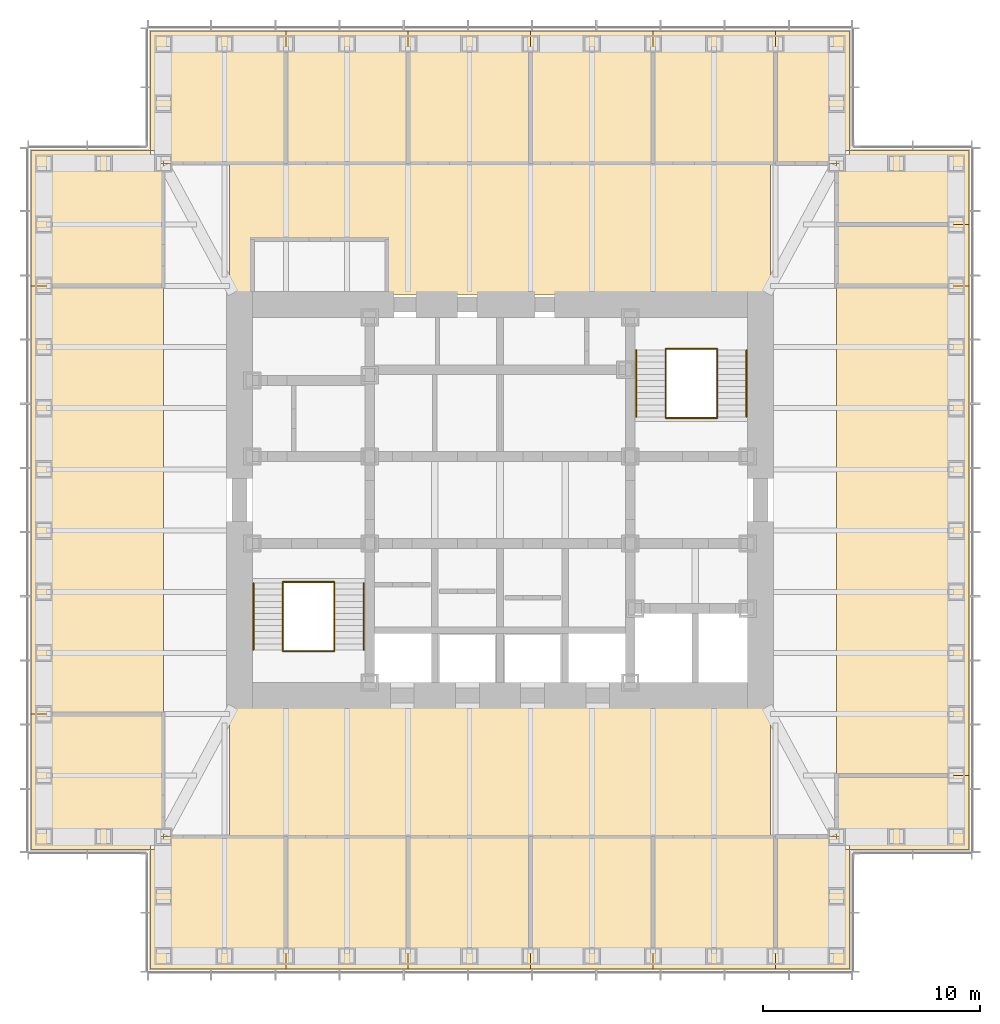
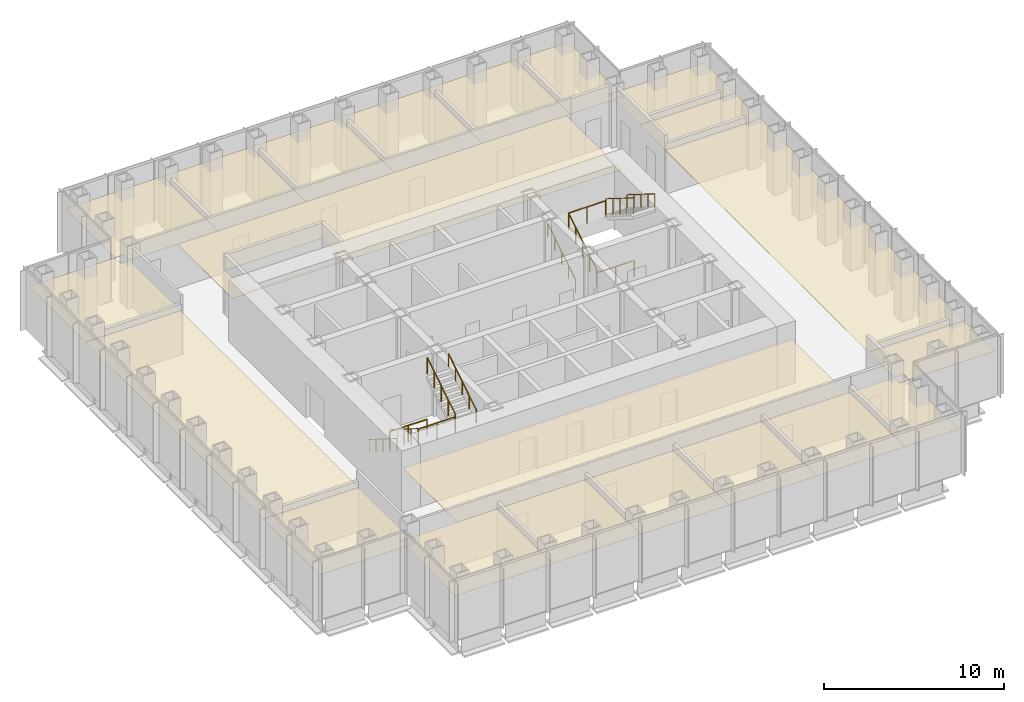
# One storey, part 16 of 16: 21 coverings, 12 railings.
"""IFC4 building model written with IfcOpenShell, lengths in metres."""

from ifc_helpers import new_model, si_unit, direction, frame, origin, origin_2d, place, context, subcontext, project, spatial, polyline, circle, outline, extrude, material, layer, layer_set, type_object, element, save


model = new_model("IFC4")

# Units and contexts
model_context = context("Model", 3, precision=1e-05, world=origin(), true_north=direction((0.0, 1.0)))
body_context = subcontext(model_context, "Body", "Model", "MODEL_VIEW")
ifc_project = project(units=[si_unit("LENGTHUNIT", "METRE"), si_unit("AREAUNIT", "SQUARE_METRE"), si_unit("VOLUMEUNIT", "CUBIC_METRE"), si_unit("PLANEANGLEUNIT", "RADIAN"), si_unit("MASSUNIT", "GRAM", prefix="KILO")], contexts=[model_context])

# Site, building, storey
site_placement = place(None, origin())
site = spatial("IfcSite", under=ifc_project, at=site_placement, CompositionType="ELEMENT")
building_placement = place(site_placement, origin())
building = spatial("IfcBuilding", under=site, at=building_placement, Name="Daluyong Arena Tower", CompositionType="ELEMENT")
storey_placement = place(building_placement, frame((0.0, 0.0, 227.5)))
storey = spatial("IfcBuildingStorey", under=building, at=storey_placement, Name="L51", CompositionType="ELEMENT", Elevation=227.5)

# Coverings
ifc_material_1 = material(Name="Mineral fibre ceiling tile", Category="gypsum board")
ifc_layer = layer(ifc_material_1, 0.02001953125)
ifc_layer_set = layer_set([ifc_layer], Name="Mineral fibre ceiling tile")
covering_type = type_object("IfcCoveringType", Name="Office ceiling", PredefinedType="CEILING", material=ifc_layer_set)
covering_1_placement = place(storey_placement, frame((0.0, 0.0, 2.89990234375)))
element("IfcCovering", 1, at=covering_1_placement, inside=storey, type_object=covering_type, Name="ceiling L51-01", PredefinedType="CEILING", context=body_context, shape_type="SweptSolid", body=[
    extrude(outline(polyline([(39.89990234375, 63.89990234375), (39.89990234375, 58.39990234375), (46.136474609375, 58.39990234375), (46.136474609375, 64.5), (40.5, 64.5), (40.5, 63.89990234375), (39.89990234375, 63.89990234375)])), origin(), (0.0, 0.0, 1.0), 0.02001953125),
])
covering_2_placement = place(storey_placement, frame((0.0, 0.0, 2.89990234375)))
element("IfcCovering", 2, at=covering_2_placement, inside=storey, type_object=covering_type, Name="ceiling L51-02", PredefinedType="CEILING", context=body_context, shape_type="SweptSolid", body=[
    extrude(outline(polyline([(46.136474609375, 64.5), (46.136474609375, 58.39990234375), (51.772705078125, 58.39990234375), (51.772705078125, 64.5), (46.136474609375, 64.5)])), origin(), (0.0, 0.0, 1.0), 0.02001953125),
])
covering_3_placement = place(storey_placement, frame((0.0, 0.0, 2.89990234375)))
element("IfcCovering", 3, at=covering_3_placement, inside=storey, type_object=covering_type, Name="ceiling L51-03", PredefinedType="CEILING", context=body_context, shape_type="SweptSolid", body=[
    extrude(outline(polyline([(51.772705078125, 64.5), (51.772705078125, 58.39990234375), (57.4091796875, 58.39990234375), (57.4091796875, 64.5), (51.772705078125, 64.5)])), origin(), (0.0, 0.0, 1.0), 0.02001953125),
])
covering_4_placement = place(storey_placement, frame((0.0, 0.0, 2.89990234375)))
element("IfcCovering", 4, at=covering_4_placement, inside=storey, type_object=covering_type, Name="ceiling L51-04", PredefinedType="CEILING", context=body_context, shape_type="SweptSolid", body=[
    extrude(outline(polyline([(57.4091796875, 64.5), (57.4091796875, 58.39990234375), (63.04541015625, 58.39990234375), (63.04541015625, 64.5), (57.4091796875, 64.5)])), origin(), (0.0, 0.0, 1.0), 0.02001953125),
])
covering_5_placement = place(storey_placement, frame((0.0, 0.0, 2.89990234375)))
element("IfcCovering", 5, at=covering_5_placement, inside=storey, type_object=covering_type, Name="ceiling L51-05", PredefinedType="CEILING", context=body_context, shape_type="SweptSolid", body=[
    extrude(outline(polyline([(63.04541015625, 64.5), (63.04541015625, 58.39990234375), (68.681884765625, 58.39990234375), (68.681884765625, 64.5), (63.04541015625, 64.5)])), origin(), (0.0, 0.0, 1.0), 0.02001953125),
])
covering_6_placement = place(storey_placement, frame((0.0, 0.0, 2.89990234375)))
element("IfcCovering", 6, at=covering_6_placement, inside=storey, type_object=covering_type, Name="ceiling L51-06", PredefinedType="CEILING", context=body_context, shape_type="SweptSolid", body=[
    extrude(outline(polyline([(72.10009765625, 58.39990234375), (72.10009765625, 63.89990234375), (71.5, 63.89990234375), (71.5, 64.5), (68.681884765625, 64.5), (68.681884765625, 58.39990234375), (72.10009765625, 58.39990234375)])), origin(), (0.0, 0.0, 1.0), 0.02001953125),
])
covering_7_placement = place(storey_placement, frame((0.0, 0.0, 2.89990234375)))
element("IfcCovering", 7, at=covering_7_placement, inside=storey, type_object=covering_type, Name="ceiling L51-07", PredefinedType="CEILING", context=body_context, shape_type="SweptSolid", body=[
    extrude(outline(polyline([(72.10009765625, 63.89990234375), (77.60009765625, 63.89990234375), (77.60009765625, 67.318115234375), (71.5, 67.318115234375), (71.5, 64.5), (72.10009765625, 64.5), (72.10009765625, 63.89990234375)])), origin(), (0.0, 0.0, 1.0), 0.02001953125),
])
covering_8_placement = place(storey_placement, frame((0.0, 0.0, 2.89990234375)))
element("IfcCovering", 8, at=covering_8_placement, inside=storey, type_object=covering_type, Name="ceiling L51-08", PredefinedType="CEILING", context=body_context, shape_type="SweptSolid", body=[
    extrude(outline(polyline([(71.5, 89.863525390625), (77.60009765625, 89.863525390625), (77.60009765625, 92.681884765625), (71.5, 92.681884765625), (71.5, 89.863525390625)])), origin(), (0.0, 0.0, 1.0), 0.02001953125),
])
covering_9_placement = place(storey_placement, frame((0.0, 0.0, 2.89990234375)))
element("IfcCovering", 9, at=covering_9_placement, inside=storey, type_object=covering_type, Name="ceiling L51-09", PredefinedType="CEILING", context=body_context, shape_type="SweptSolid", body=[
    extrude(outline(polyline([(71.5, 92.681884765625), (77.60009765625, 92.681884765625), (77.60009765625, 96.10009765625), (72.10009765625, 96.10009765625), (72.10009765625, 95.5), (71.5, 95.5), (71.5, 92.681884765625)])), origin(), (0.0, 0.0, 1.0), 0.02001953125),
])
covering_10_placement = place(storey_placement, frame((0.0, 0.0, 2.89990234375)))
element("IfcCovering", 10, at=covering_10_placement, inside=storey, type_object=covering_type, Name="ceiling L51-10", PredefinedType="CEILING", context=body_context, shape_type="SweptSolid", body=[
    extrude(outline(polyline([(46.136474609375, 95.5), (46.136474609375, 101.60009765625), (39.89990234375, 101.60009765625), (39.89990234375, 96.10009765625), (40.5, 96.10009765625), (40.5, 95.5), (46.136474609375, 95.5)])), origin(), (0.0, 0.0, 1.0), 0.02001953125),
])
covering_11_placement = place(storey_placement, frame((0.0, 0.0, 2.89990234375)))
element("IfcCovering", 11, at=covering_11_placement, inside=storey, type_object=covering_type, Name="ceiling L51-11", PredefinedType="CEILING", context=body_context, shape_type="SweptSolid", body=[
    extrude(outline(polyline([(51.772705078125, 95.5), (51.772705078125, 101.60009765625), (46.136474609375, 101.60009765625), (46.136474609375, 95.5), (51.772705078125, 95.5)])), origin(), (0.0, 0.0, 1.0), 0.02001953125),
])
covering_12_placement = place(storey_placement, frame((0.0, 0.0, 2.89990234375)))
element("IfcCovering", 12, at=covering_12_placement, inside=storey, type_object=covering_type, Name="ceiling L51-12", PredefinedType="CEILING", context=body_context, shape_type="SweptSolid", body=[
    extrude(outline(polyline([(57.4091796875, 95.5), (57.4091796875, 101.60009765625), (51.772705078125, 101.60009765625), (51.772705078125, 95.5), (57.4091796875, 95.5)])), origin(), (0.0, 0.0, 1.0), 0.02001953125),
])
covering_13_placement = place(storey_placement, frame((0.0, 0.0, 2.89990234375)))
element("IfcCovering", 13, at=covering_13_placement, inside=storey, type_object=covering_type, Name="ceiling L51-13", PredefinedType="CEILING", context=body_context, shape_type="SweptSolid", body=[
    extrude(outline(polyline([(63.04541015625, 95.5), (63.04541015625, 101.60009765625), (57.4091796875, 101.60009765625), (57.4091796875, 95.5), (63.04541015625, 95.5)])), origin(), (0.0, 0.0, 1.0), 0.02001953125),
])
covering_14_placement = place(storey_placement, frame((0.0, 0.0, 2.89990234375)))
element("IfcCovering", 14, at=covering_14_placement, inside=storey, type_object=covering_type, Name="ceiling L51-14", PredefinedType="CEILING", context=body_context, shape_type="SweptSolid", body=[
    extrude(outline(polyline([(68.681884765625, 95.5), (68.681884765625, 101.60009765625), (63.04541015625, 101.60009765625), (63.04541015625, 95.5), (68.681884765625, 95.5)])), origin(), (0.0, 0.0, 1.0), 0.02001953125),
])
covering_15_placement = place(storey_placement, frame((0.0, 0.0, 2.89990234375)))
element("IfcCovering", 15, at=covering_15_placement, inside=storey, type_object=covering_type, Name="ceiling L51-15", PredefinedType="CEILING", context=body_context, shape_type="SweptSolid", body=[
    extrude(outline(polyline([(68.681884765625, 95.5), (71.5, 95.5), (71.5, 96.10009765625), (72.10009765625, 96.10009765625), (72.10009765625, 101.60009765625), (68.681884765625, 101.60009765625), (68.681884765625, 95.5)])), origin(), (0.0, 0.0, 1.0), 0.02001953125),
])
covering_16_placement = place(storey_placement, frame((0.0, 0.0, 2.89990234375)))
element("IfcCovering", 16, at=covering_16_placement, inside=storey, type_object=covering_type, Name="ceiling L51-16", PredefinedType="CEILING", context=body_context, shape_type="SweptSolid", body=[
    extrude(outline(polyline([(34.39990234375, 63.89990234375), (39.89990234375, 63.89990234375), (39.89990234375, 64.5), (40.5, 64.5), (40.5, 70.136474609375), (34.39990234375, 70.136474609375), (34.39990234375, 63.89990234375)])), origin(), (0.0, 0.0, 1.0), 0.02001953125),
])
covering_17_placement = place(storey_placement, frame((0.0, 0.0, 2.89990234375)))
element("IfcCovering", 17, at=covering_17_placement, inside=storey, type_object=covering_type, Name="ceiling L51-17", PredefinedType="CEILING", context=body_context, shape_type="SweptSolid", body=[
    extrude(outline(polyline([(40.5, 89.863525390625), (40.5, 95.5), (39.89990234375, 95.5), (39.89990234375, 96.10009765625), (34.39990234375, 96.10009765625), (34.39990234375, 89.863525390625), (40.5, 89.863525390625)])), origin(), (0.0, 0.0, 1.0), 0.02001953125),
])
covering_18_placement = place(storey_placement, frame((0.0, 0.0, 2.89990234375)))
element("IfcCovering", 18, at=covering_18_placement, inside=storey, type_object=covering_type, Name="ceiling L51-21", PredefinedType="CEILING", context=body_context, shape_type="SweptSolid", body=[
    extrude(outline(polyline([(68.449951171875, 64.5), (68.449951171875, 70.550048828125), (43.550048828125, 70.550048828125), (43.550048828125, 64.5), (68.449951171875, 64.5)])), origin(), (0.0, 0.0, 1.0), 0.02001953125),
])
covering_19_placement = place(storey_placement, frame((0.0, 0.0, 2.89990234375)))
element("IfcCovering", 19, at=covering_19_placement, inside=storey, type_object=covering_type, Name="ceiling L51-22", PredefinedType="CEILING", context=body_context, shape_type="SweptSolid", body=[
    extrude(outline(polyline([(77.60009765625, 67.318115234375), (77.60009765625, 89.863525390625), (71.5, 89.863525390625), (71.5, 67.318115234375), (77.60009765625, 67.318115234375)])), origin(), (0.0, 0.0, 1.0), 0.02001953125),
])
covering_20_placement = place(storey_placement, frame((0.0, 0.0, 2.89990234375)))
element("IfcCovering", 20, at=covering_20_placement, inside=storey, type_object=covering_type, Name="ceiling L51-23", PredefinedType="CEILING", context=body_context, shape_type="SweptSolid", body=[
    extrude(outline(polyline([(43.550048828125, 95.5), (43.550048828125, 89.449951171875), (68.449951171875, 89.449951171875), (68.449951171875, 95.5), (43.550048828125, 95.5)]), holes=[polyline([(44.60009765625, 89.60009765625), (44.60009765625, 92.0), (50.800048828125, 92.0), (50.800048828125, 89.60009765625), (44.60009765625, 89.60009765625)])]), origin(), (0.0, 0.0, 1.0), 0.02001953125),
])
covering_21_placement = place(storey_placement, frame((0.0, 0.0, 2.89990234375)))
element("IfcCovering", 21, at=covering_21_placement, inside=storey, type_object=covering_type, Name="ceiling L51-24", PredefinedType="CEILING", context=body_context, shape_type="SweptSolid", body=[
    extrude(outline(polyline([(34.39990234375, 70.136474609375), (40.5, 70.136474609375), (40.5, 89.863525390625), (34.39990234375, 89.863525390625), (34.39990234375, 70.136474609375)])), origin(), (0.0, 0.0, 1.0), 0.02001953125),
])

# Railings
ifc_material_2 = material(Name="Stainless steel handrail", Category="steel")
railing_type_1 = type_object("IfcRailingType", Name="Stair handrail", PredefinedType="HANDRAIL", material=ifc_material_2)
railing_1_placement = place(storey_placement, frame((44.64990234375, 76.175048828125, 0.175048828125)))
element("IfcRailing", 22, at=railing_1_placement, inside=storey, type_object=railing_type_1, Name="exit stair A handrail L51", PredefinedType="HANDRAIL", context=body_context, shape_type="SweptSolid", body=[
    extrude(circle(Radius=0.02392578125, at=origin_2d()), frame((0.0, 0.0, 0.8759765625), z_axis=(0.0, -0.847998304005, 0.529998940003), x_axis=(1.0, 0.0, 0.0)), (0.0, 0.0, 1.0), 3.632080078125),
    extrude(circle(Radius=0.02099609375, at=origin_2d()), origin(), (0.0, 0.0, 1.0), 0.851806640625),
    extrude(circle(Radius=0.02099609375, at=origin_2d()), frame((0.0, -0.77001953125, 0.481201171875)), (0.0, 0.0, 1.0), 0.851806640625),
    extrude(circle(Radius=0.02099609375, at=origin_2d()), frame((0.0, -1.5400390625, 0.96240234375)), (0.0, 0.0, 1.0), 0.851806640625),
    extrude(circle(Radius=0.02099609375, at=origin_2d()), frame((0.0, -2.31005859375, 1.44384765625)), (0.0, 0.0, 1.0), 0.851806640625),
    extrude(circle(Radius=0.02099609375, at=origin_2d()), frame((0.0, -3.080078125, 1.925048828125)), (0.0, 0.0, 1.0), 0.851806640625),
])
for number, where, name in (
    (23, (49.72509765625, 73.094970703125, 2.27490234375), "exit stair A handrail L51"),
    (24, (62.27490234375, 83.824951171875, 0.175048828125), "exit stair B handrail L51"),
):
    element("IfcRailing", number, at=place(storey_placement, frame(where)), inside=storey, type_object=railing_type_1, Name=name, PredefinedType="HANDRAIL", context=body_context, shape_type="SweptSolid", body=[
        extrude(circle(Radius=0.02392578125, at=origin_2d()), frame((0.0, 0.0, 0.8759765625), z_axis=(0.0, 0.847998304005, 0.529998940003), x_axis=(-1.0, 0.0, 0.0)), (0.0, 0.0, 1.0), 3.632080078125),
        extrude(circle(Radius=0.02099609375, at=origin_2d()), origin(), (0.0, 0.0, 1.0), 0.851806640625),
        extrude(circle(Radius=0.02099609375, at=origin_2d()), frame((0.0, 0.77001953125, 0.481201171875)), (0.0, 0.0, 1.0), 0.851806640625),
        extrude(circle(Radius=0.02099609375, at=origin_2d()), frame((0.0, 1.5400390625, 0.96240234375)), (0.0, 0.0, 1.0), 0.851806640625),
        extrude(circle(Radius=0.02099609375, at=origin_2d()), frame((0.0, 2.31005859375, 1.44384765625)), (0.0, 0.0, 1.0), 0.851806640625),
        extrude(circle(Radius=0.02099609375, at=origin_2d()), frame((0.0, 3.080078125, 1.925048828125)), (0.0, 0.0, 1.0), 0.851806640625),
    ])
railing_2_placement = place(storey_placement, frame((67.35009765625, 86.905029296875, 2.27490234375)))
element("IfcRailing", 25, at=railing_2_placement, inside=storey, type_object=railing_type_1, Name="exit stair B handrail L51", PredefinedType="HANDRAIL", context=body_context, shape_type="SweptSolid", body=[
    extrude(circle(Radius=0.02392578125, at=origin_2d()), frame((0.0, 0.0, 0.8759765625), z_axis=(0.0, -0.847998304005, 0.529998940003), x_axis=(1.0, 0.0, 0.0)), (0.0, 0.0, 1.0), 3.632080078125),
    extrude(circle(Radius=0.02099609375, at=origin_2d()), origin(), (0.0, 0.0, 1.0), 0.851806640625),
    extrude(circle(Radius=0.02099609375, at=origin_2d()), frame((0.0, -0.77001953125, 0.481201171875)), (0.0, 0.0, 1.0), 0.851806640625),
    extrude(circle(Radius=0.02099609375, at=origin_2d()), frame((0.0, -1.5400390625, 0.96240234375)), (0.0, 0.0, 1.0), 0.851806640625),
    extrude(circle(Radius=0.02099609375, at=origin_2d()), frame((0.0, -2.31005859375, 1.44384765625)), (0.0, 0.0, 1.0), 0.851806640625),
    extrude(circle(Radius=0.02099609375, at=origin_2d()), frame((0.0, -3.080078125, 1.925048828125)), (0.0, 0.0, 1.0), 0.851806640625),
])
ifc_material_3 = material(Name="Steel balustrade", Category="steel")
railing_type_2 = type_object("IfcRailingType", Name="Stair well guard 1100", PredefinedType="GUARDRAIL", material=ifc_material_3)
railing_3_placement = place(storey_placement, frame((46.0, 76.175048828125, 0.175048828125)))
element("IfcRailing", 26, at=railing_3_placement, inside=storey, type_object=railing_type_2, Name="exit stair A well guard L51", PredefinedType="GUARDRAIL", context=body_context, shape_type="SweptSolid", body=[
    extrude(circle(Radius=0.02392578125, at=origin_2d()), frame((0.0, 0.0, 1.076171875), z_axis=(0.0, -0.847998304005, 0.529998940003), x_axis=(1.0, 0.0, 0.0)), (0.0, 0.0, 1.0), 3.632080078125),
    extrude(circle(Radius=0.02099609375, at=origin_2d()), origin(), (0.0, 0.0, 1.0), 1.052001953125),
    extrude(circle(Radius=0.02099609375, at=origin_2d()), frame((0.0, -0.77001953125, 0.481201171875)), (0.0, 0.0, 1.0), 1.052001953125),
    extrude(circle(Radius=0.02099609375, at=origin_2d()), frame((0.0, -1.5400390625, 0.96240234375)), (0.0, 0.0, 1.0), 1.052001953125),
    extrude(circle(Radius=0.02099609375, at=origin_2d()), frame((0.0, -2.31005859375, 1.44384765625)), (0.0, 0.0, 1.0), 1.052001953125),
    extrude(circle(Radius=0.02099609375, at=origin_2d()), frame((0.0, -3.080078125, 1.925048828125)), (0.0, 0.0, 1.0), 1.052001953125),
])
railing_4_placement = place(storey_placement, frame((48.375, 73.094970703125, 2.27490234375)))
element("IfcRailing", 27, at=railing_4_placement, inside=storey, type_object=railing_type_2, Name="exit stair A well guard L51", PredefinedType="GUARDRAIL", context=body_context, shape_type="SweptSolid", body=[
    extrude(circle(Radius=0.02392578125, at=origin_2d()), frame((0.0, 0.0, 1.076171875), z_axis=(0.0, 0.847998304005, 0.529998940003), x_axis=(-1.0, 0.0, 0.0)), (0.0, 0.0, 1.0), 3.632080078125),
    extrude(circle(Radius=0.02099609375, at=origin_2d()), origin(), (0.0, 0.0, 1.0), 1.052001953125),
    extrude(circle(Radius=0.02099609375, at=origin_2d()), frame((0.0, 0.77001953125, 0.481201171875)), (0.0, 0.0, 1.0), 1.052001953125),
    extrude(circle(Radius=0.02099609375, at=origin_2d()), frame((0.0, 1.5400390625, 0.96240234375)), (0.0, 0.0, 1.0), 1.052001953125),
    extrude(circle(Radius=0.02099609375, at=origin_2d()), frame((0.0, 2.31005859375, 1.44384765625)), (0.0, 0.0, 1.0), 1.052001953125),
    extrude(circle(Radius=0.02099609375, at=origin_2d()), frame((0.0, 3.080078125, 1.925048828125)), (0.0, 0.0, 1.0), 1.052001953125),
])
for number, where, name in (
    (28, (46.0, 73.044921875, 2.10009765625), "exit stair A landing guard L51"),
    (29, (46.0, 76.22509765625, 0.0), "exit stair A floor landing guard L51"),
):
    element("IfcRailing", number, at=place(storey_placement, frame(where)), inside=storey, type_object=railing_type_2, Name=name, PredefinedType="GUARDRAIL", context=body_context, shape_type="SweptSolid", body=[
        extrude(circle(Radius=0.02392578125, at=origin_2d()), frame((0.0, 0.0, 1.076171875), z_axis=(1.0, 0.0, 0.0), x_axis=(0.0, 1.0, 0.0)), (0.0, 0.0, 1.0), 2.375),
        extrude(circle(Radius=0.02099609375, at=origin_2d()), origin(), (0.0, 0.0, 1.0), 1.052001953125),
        extrude(circle(Radius=0.02099609375, at=origin_2d()), frame((1.1875, 0.0, 0.0)), (0.0, 0.0, 1.0), 1.052001953125),
        extrude(circle(Radius=0.02099609375, at=origin_2d()), frame((2.375, 0.0, 0.0)), (0.0, 0.0, 1.0), 1.052001953125),
    ])
railing_5_placement = place(storey_placement, frame((63.625, 83.824951171875, 0.175048828125)))
element("IfcRailing", 30, at=railing_5_placement, inside=storey, type_object=railing_type_2, Name="exit stair B well guard L51", PredefinedType="GUARDRAIL", context=body_context, shape_type="SweptSolid", body=[
    extrude(circle(Radius=0.02392578125, at=origin_2d()), frame((0.0, 0.0, 1.076171875), z_axis=(0.0, 0.847998304005, 0.529998940003), x_axis=(-1.0, 0.0, 0.0)), (0.0, 0.0, 1.0), 3.632080078125),
    extrude(circle(Radius=0.02099609375, at=origin_2d()), origin(), (0.0, 0.0, 1.0), 1.052001953125),
    extrude(circle(Radius=0.02099609375, at=origin_2d()), frame((0.0, 0.77001953125, 0.481201171875)), (0.0, 0.0, 1.0), 1.052001953125),
    extrude(circle(Radius=0.02099609375, at=origin_2d()), frame((0.0, 1.5400390625, 0.96240234375)), (0.0, 0.0, 1.0), 1.052001953125),
    extrude(circle(Radius=0.02099609375, at=origin_2d()), frame((0.0, 2.31005859375, 1.44384765625)), (0.0, 0.0, 1.0), 1.052001953125),
    extrude(circle(Radius=0.02099609375, at=origin_2d()), frame((0.0, 3.080078125, 1.925048828125)), (0.0, 0.0, 1.0), 1.052001953125),
])
railing_6_placement = place(storey_placement, frame((66.0, 86.905029296875, 2.27490234375)))
element("IfcRailing", 31, at=railing_6_placement, inside=storey, type_object=railing_type_2, Name="exit stair B well guard L51", PredefinedType="GUARDRAIL", context=body_context, shape_type="SweptSolid", body=[
    extrude(circle(Radius=0.02392578125, at=origin_2d()), frame((0.0, 0.0, 1.076171875), z_axis=(0.0, -0.847998304005, 0.529998940003), x_axis=(1.0, 0.0, 0.0)), (0.0, 0.0, 1.0), 3.632080078125),
    extrude(circle(Radius=0.02099609375, at=origin_2d()), origin(), (0.0, 0.0, 1.0), 1.052001953125),
    extrude(circle(Radius=0.02099609375, at=origin_2d()), frame((0.0, -0.77001953125, 0.481201171875)), (0.0, 0.0, 1.0), 1.052001953125),
    extrude(circle(Radius=0.02099609375, at=origin_2d()), frame((0.0, -1.5400390625, 0.96240234375)), (0.0, 0.0, 1.0), 1.052001953125),
    extrude(circle(Radius=0.02099609375, at=origin_2d()), frame((0.0, -2.31005859375, 1.44384765625)), (0.0, 0.0, 1.0), 1.052001953125),
    extrude(circle(Radius=0.02099609375, at=origin_2d()), frame((0.0, -3.080078125, 1.925048828125)), (0.0, 0.0, 1.0), 1.052001953125),
])
for number, where, name in (
    (32, (63.625, 86.955078125, 2.10009765625), "exit stair B landing guard L51"),
    (33, (63.625, 83.77490234375, 0.0), "exit stair B floor landing guard L51"),
):
    element("IfcRailing", number, at=place(storey_placement, frame(where)), inside=storey, type_object=railing_type_2, Name=name, PredefinedType="GUARDRAIL", context=body_context, shape_type="SweptSolid", body=[
        extrude(circle(Radius=0.02392578125, at=origin_2d()), frame((0.0, 0.0, 1.076171875), z_axis=(1.0, 0.0, 0.0), x_axis=(0.0, 1.0, 0.0)), (0.0, 0.0, 1.0), 2.375),
        extrude(circle(Radius=0.02099609375, at=origin_2d()), origin(), (0.0, 0.0, 1.0), 1.052001953125),
        extrude(circle(Radius=0.02099609375, at=origin_2d()), frame((1.1875, 0.0, 0.0)), (0.0, 0.0, 1.0), 1.052001953125),
        extrude(circle(Radius=0.02099609375, at=origin_2d()), frame((2.375, 0.0, 0.0)), (0.0, 0.0, 1.0), 1.052001953125),
    ])

save(model, "model.ifc")
